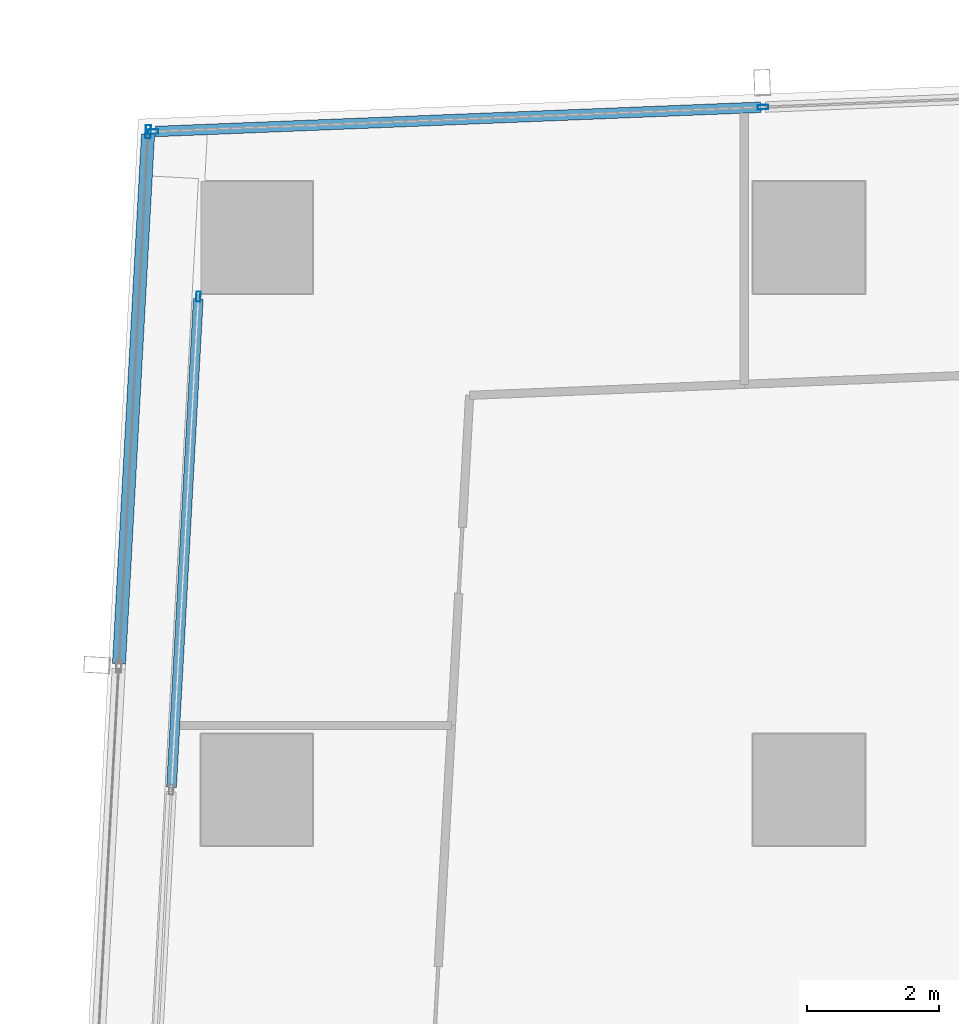
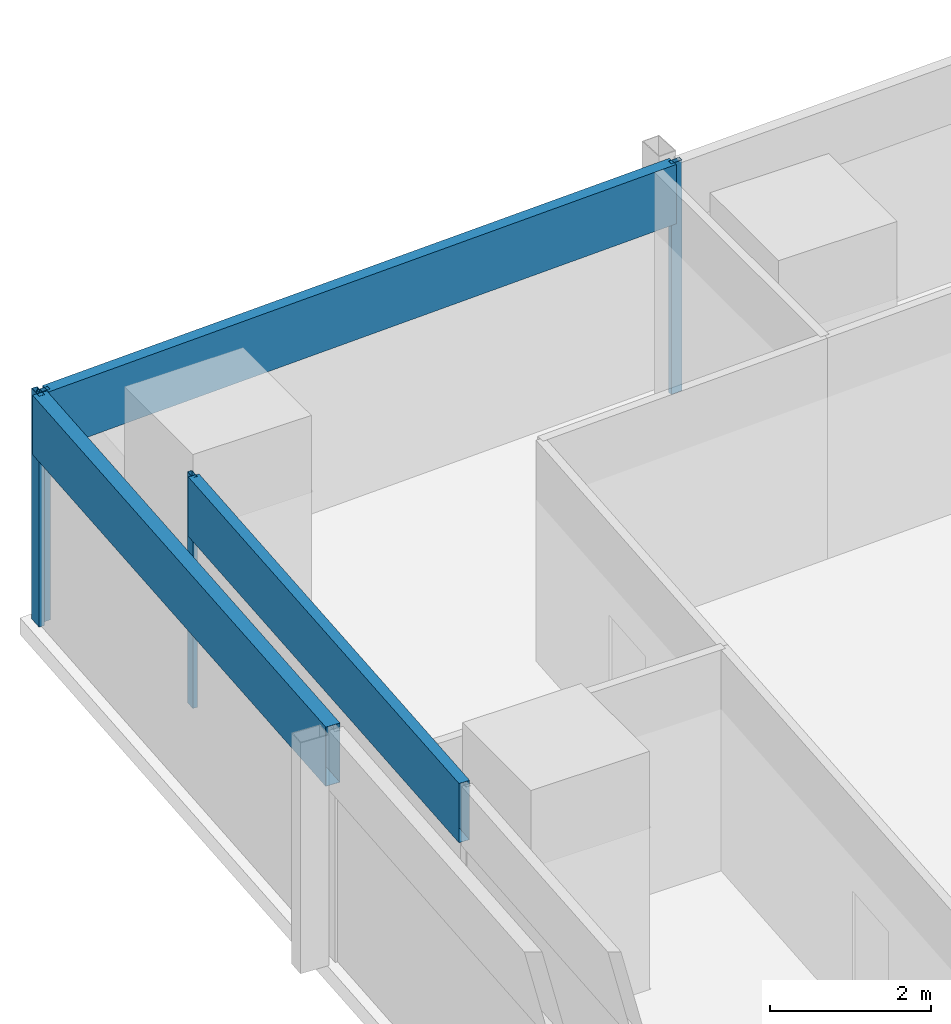
# One storey, part 15 of 40: 7 members, 3 elements without a shape of their own.
"""IFC4 building model written with IfcOpenShell, lengths in metres."""

import ifcopenshell
import ifcopenshell.guid

model = None  # the IFC model being written
_history = None  # IfcOwnerHistory: only IFC2X3 demands one
_inside = {}  # id of a spatial element -> (the spatial element, [elements in it])
_under = {}  # id of a project, library or spatial element -> (it, [spatial elements below it])
_declared = {}  # id of a project -> (the project, [libraries it declares])
_typed = {}  # id of a type object -> (the type object, [elements of that type])
_made_of = {}  # id of a material, layer set ... -> (it, [elements and type objects made of it])


def new_model(schema):
    """Start an empty IFC model of exactly this schema.

    Asked for "IFC4X3", IfcOpenShell would pick the latest addendum, in which some entities
    have other attributes; the version numbers below select the first issue.
    IFC2X3 requires an IfcOwnerHistory on every rooted entity: one is made here for all.
    """
    global model, _history
    if schema == "IFC4X3":
        model = ifcopenshell.file(schema_version=(4, 3, 0, 0))
    else:
        model = ifcopenshell.file(schema=schema)
    _inside.clear()
    _under.clear()
    _declared.clear()
    _typed.clear()
    _made_of.clear()
    _history = None
    if model.schema == "IFC2X3":
        org = make("IfcOrganization", Name="unknown")
        user = make(
            "IfcPersonAndOrganization",
            ThePerson=make("IfcPerson", FamilyName="unknown"),
            TheOrganization=org,
        )
        app = make(
            "IfcApplication",
            ApplicationDeveloper=org,
            Version="unknown",
            ApplicationFullName="unknown",
            ApplicationIdentifier="unknown",
        )
        _history = make(
            "IfcOwnerHistory",
            OwningUser=user,
            OwningApplication=app,
            ChangeAction="ADDED",
            CreationDate=0,
        )
    return model


def make(cls, **values):
    """One entity of the class cls with the attributes given. An attribute that is None is left unset."""
    return model.create_entity(
        cls, **{name: value for name, value in values.items() if value is not None}
    )


def rooted(cls, **values):
    """An entity with a GlobalId (a new one), such as an element, a storey or a relation."""
    return make(cls, GlobalId=ifcopenshell.guid.new(), OwnerHistory=_history, **values)


def si_unit(unit_type, name, prefix=None):
    """IfcSIUnit, for example si_unit("LENGTHUNIT", "METRE", prefix="MILLI")."""
    return make("IfcSIUnit", UnitType=unit_type, Prefix=prefix, Name=name)


def assignment(units):
    """IfcUnitAssignment: the units of a project."""
    return None if units is None else make("IfcUnitAssignment", Units=units)


def point(xyz):
    """IfcCartesianPoint."""
    return None if xyz is None else make("IfcCartesianPoint", Coordinates=xyz)


def direction(xyz):
    """IfcDirection."""
    return None if xyz is None else make("IfcDirection", DirectionRatios=xyz)


def frame(location, z_axis=None, x_axis=None):
    """IfcAxis2Placement3D, a coordinate frame: its origin and axes. An axis left out is left unset."""
    return make(
        "IfcAxis2Placement3D",
        Location=point(location),
        Axis=direction(z_axis),
        RefDirection=direction(x_axis),
    )


def frame_2d(location, x_axis=None):
    """IfcAxis2Placement2D, a coordinate frame in the plane: its origin and x axis."""
    return make(
        "IfcAxis2Placement2D", Location=point(location), RefDirection=direction(x_axis)
    )


def origin():
    """The frame at (0, 0, 0) with its axes left unset."""
    return frame((0.0, 0.0, 0.0))


def origin_2d():
    """The frame at (0, 0) in the plane with its x axis left unset."""
    return frame_2d((0.0, 0.0))


def place(relative_to, where):
    """IfcLocalPlacement: puts the frame where relative to a parent placement (None: the world)."""
    return make(
        "IfcLocalPlacement", PlacementRelTo=relative_to, RelativePlacement=where
    )


def context(
    kind, dimensions, precision=None, world=None, true_north=None, identifier=None
):
    """IfcGeometricRepresentationContext, for example the 3D "Model" context."""
    return make(
        "IfcGeometricRepresentationContext",
        ContextIdentifier=identifier,
        ContextType=kind,
        CoordinateSpaceDimension=dimensions,
        Precision=precision,
        WorldCoordinateSystem=world,
        TrueNorth=true_north,
    )


def subcontext(parent, identifier, kind, view, scale=None):
    """IfcGeometricRepresentationSubContext, for example "Body" below "Model"."""
    return make(
        "IfcGeometricRepresentationSubContext",
        ContextIdentifier=identifier,
        ContextType=kind,
        ParentContext=parent,
        TargetScale=scale,
        TargetView=view,
    )


def project(units=None, contexts=None):
    """IfcProject with its units and contexts."""
    return rooted(
        "IfcProject",
        Name="project",
        RepresentationContexts=contexts,
        UnitsInContext=assignment(units),
    )


def spatial(cls, under=None, at=None, **own):
    """A site, building, storey or space (cls), placed at a placement, below another one or the project."""
    s = rooted(cls, ObjectPlacement=at, **own)
    if under is not None:
        _under.setdefault(under.id(), (under, []))[1].append(s)
    return s


def profile(cls, at=None, kind="AREA", **sizes):
    """A parametric profile (cls). Its sizes go by their IFC names, for example OverallWidth=200.0."""
    return make(cls, ProfileType=kind, Position=at, **sizes)


def hollow_rectangle(**sizes):
    """IfcRectangleHollowProfileDef."""
    return profile("IfcRectangleHollowProfileDef", **sizes)


def extrude(swept, where, along, depth):
    """IfcExtrudedAreaSolid: the profile swept, set in the frame where, extruded along a direction by depth."""
    return make(
        "IfcExtrudedAreaSolid",
        SweptArea=swept,
        Position=where,
        ExtrudedDirection=direction(along),
        Depth=depth,
    )


def shape(context_of_items, identifier, shape_type, items):
    """IfcShapeRepresentation: the items that make up one representation, for example the "Body"."""
    return make(
        "IfcShapeRepresentation",
        ContextOfItems=context_of_items,
        RepresentationIdentifier=identifier,
        RepresentationType=shape_type,
        Items=items,
    )


def material(Name=None, Category=None):
    """IfcMaterial."""
    return make("IfcMaterial", Name=Name, Category=Category)


def material_profile(
    of_material, cross_section, Name=None, Category=None, Priority=None
):
    """IfcMaterialProfile: a cross section and its material."""
    return make(
        "IfcMaterialProfile",
        Name=Name,
        Material=of_material,
        Profile=cross_section,
        Priority=Priority,
        Category=Category,
    )


def profile_set(profiles, Name=None, composite=None):
    """IfcMaterialProfileSet."""
    return make(
        "IfcMaterialProfileSet",
        Name=Name,
        MaterialProfiles=profiles,
        CompositeProfile=composite,
    )


def made_of(thing, what):
    """Note that an element or type object is made of a material, layer set ...; save() writes the relation."""
    if what is not None:
        _made_of.setdefault(what.id(), (what, []))[1].append(thing)
    return thing


def type_object(cls, material=None, **own):
    """A type object (cls), such as IfcWallType, which elements share."""
    return made_of(rooted(cls, **own), material)


def element(
    cls,
    number,
    at=None,
    inside=None,
    cuts=None,
    type_object=None,
    material=None,
    context=None,
    identifier="Body",
    shape_type=None,
    held_by="IfcProductDefinitionShape",
    body=None,
    shapes=None,
    **own,
):
    """One element of the class cls, such as IfcWall. Its Tag is "e" and its number.

    at: its placement. inside: the storey or other place that contains it. cuts: it is an
    opening in that element (IfcRelVoidsElement). A single representation is given by context,
    identifier, shape_type and body (its items); several are given by shapes. held_by: the class
    of the entity that holds the representations. save() writes the other relations.
    """
    e = rooted(cls, Tag="e%d" % number, ObjectPlacement=at, **own)
    if body is not None:
        shapes = [shape(context, identifier, shape_type, body)]
    if shapes is not None:
        e.Representation = make(held_by, Representations=shapes)
    if inside is not None:
        _inside.setdefault(inside.id(), (inside, []))[1].append(e)
    if cuts is not None:
        rooted(
            "IfcRelVoidsElement", RelatingBuildingElement=cuts, RelatedOpeningElement=e
        )
    if type_object is not None:
        _typed.setdefault(type_object.id(), (type_object, []))[1].append(e)
    return made_of(e, material)


def aggregate(whole, parts):
    """IfcRelAggregates: a whole, such as a stair, and the parts it consists of."""
    return rooted("IfcRelAggregates", RelatingObject=whole, RelatedObjects=parts)


def save(model, path):
    """Write the relations noted so far, then the file.

    IfcRelAggregates (storeys below a building ...), IfcRelContainedInSpatialStructure (elements
    in a storey), IfcRelDefinesByType, IfcRelAssociatesMaterial and IfcRelDeclares: one each for
    every whole, place, type object, material and project.
    """
    for whole, parts in _under.values():
        aggregate(whole, parts)
    for where, things in _inside.values():
        rooted(
            "IfcRelContainedInSpatialStructure",
            RelatedElements=things,
            RelatingStructure=where,
        )
    for kind, things in _typed.values():
        rooted("IfcRelDefinesByType", RelatedObjects=things, RelatingType=kind)
    for what, things in _made_of.values():
        rooted("IfcRelAssociatesMaterial", RelatedObjects=things, RelatingMaterial=what)
    for by, libraries in _declared.values():
        rooted("IfcRelDeclares", RelatingContext=by, RelatedDefinitions=libraries)
    model.write(path)


model = new_model("IFC4")

# Units and contexts
model_context = context("Model", 3, precision=1e-05, world=origin(), true_north=direction((0.0, 1.0)))
body_context = subcontext(model_context, "Body", "Model", "MODEL_VIEW")
ifc_project = project(units=[si_unit("LENGTHUNIT", "METRE"), si_unit("AREAUNIT", "SQUARE_METRE"), si_unit("VOLUMEUNIT", "CUBIC_METRE"), si_unit("PLANEANGLEUNIT", "RADIAN"), si_unit("MASSUNIT", "GRAM", prefix="KILO")], contexts=[model_context])

# Site, building, storey
site_placement = place(None, origin())
site = spatial("IfcSite", under=ifc_project, at=site_placement, CompositionType="ELEMENT")
building_placement = place(site_placement, origin())
building = spatial("IfcBuilding", under=site, at=building_placement, Name="Rekha Terrace Tower", CompositionType="ELEMENT")
storey_placement = place(building_placement, frame((0.0, 0.0, 121.550048828125)))
storey = spatial("IfcBuildingStorey", under=building, at=storey_placement, Name="L30", CompositionType="ELEMENT", Elevation=121.550048828125)

# Curtain wall, members
ifc_material_1 = material(Name="Aluminium framing", Category="aluminium")
curtain_wall_type_1 = type_object("IfcCurtainWallType", Name="CW1 double skin inner glazing", PredefinedType="USERDEFINED", material=ifc_material_1)
curtain_wall_1_placement = place(storey_placement, origin())
curtain_wall_1 = element("IfcCurtainWall", 1, at=curtain_wall_1_placement, inside=storey, type_object=curtain_wall_type_1, Name="CW1 double skin inner glazing", ObjectType="DOUBLE SKIN INNER GLAZING", PredefinedType="USERDEFINED")
ifc_material_2 = material(Name="Aluminium mullion section", Category="aluminium")
ifc_material_profile_1 = material_profile(ifc_material_2, hollow_rectangle(XDim=0.06494140625, YDim=0.14990234375, WallThickness=0.00390625, at=origin_2d()), Name="AL RHS 65x150")
ifc_profile_set_1 = profile_set([ifc_material_profile_1], Name="Aluminium mullion section")
member_type_1 = type_object("IfcMemberType", Name="CW1 mullion RHS 65 x 150", PredefinedType="MULLION", material=ifc_profile_set_1)
member_1_placement = place(storey_placement, frame((7.513427734375, 57.8994140625, 0.0), z_axis=(0.0, 0.0, 1.0), x_axis=(0.99850051318, -0.054742352707, 0.0)))
member_1 = element("IfcMember", 2, at=member_1_placement, type_object=member_type_1, Name="CW1 mullion 1", PredefinedType="MULLION", context=body_context, shape_type="SweptSolid", body=[
    extrude(hollow_rectangle(XDim=0.06494140625, YDim=0.14990234375, WallThickness=0.00390625, at=origin_2d()), origin(), (0.0, 0.0, 1.0), 3.5),
])
ifc_material_3 = material(Name="Insulated aluminium spandrel box", Category="aluminium")
ifc_material_profile_2 = material_profile(ifc_material_3, hollow_rectangle(XDim=0.14990234375, YDim=0.89990234375, WallThickness=0.0029296875, at=origin_2d()), Name="AL SPANDREL BOX 150x900")
ifc_profile_set_2 = profile_set([ifc_material_profile_2], Name="Insulated aluminium spandrel box")
member_type_2 = type_object("IfcMemberType", Name="CW1 spandrel transom 150 x 900", PredefinedType="USERDEFINED", material=ifc_profile_set_2)
member_2_placement = place(storey_placement, frame((7.51171875, 57.866943359375, 3.050048828125), z_axis=(-0.054743356699, -0.998500458136, 0.0), x_axis=(0.998500458136, -0.054743356699, 0.0)))
member_2 = element("IfcMember", 3, at=member_2_placement, type_object=member_type_2, Name="CW1 spandrel transom 1", ObjectType="TRANSOM", PredefinedType="USERDEFINED", context=body_context, shape_type="SweptSolid", body=[
    extrude(hollow_rectangle(XDim=0.14990234375, YDim=0.89990234375, WallThickness=0.0029296875, at=origin_2d()), origin(), (0.0, 0.0, 1.0), 7.443359375),
])
aggregate(curtain_wall_1, [member_1, member_2])

curtain_wall_type_2 = type_object("IfcCurtainWallType", Name="CW2 double skin outer glazing", PredefinedType="USERDEFINED", material=ifc_material_1)
curtain_wall_2_placement = place(storey_placement, origin())
curtain_wall_2 = element("IfcCurtainWall", 4, at=curtain_wall_2_placement, inside=storey, type_object=curtain_wall_type_2, Name="CW2 double skin outer glazing", ObjectType="DOUBLE SKIN OUTER GLAZING", PredefinedType="USERDEFINED")
ifc_material_profile_3 = material_profile(ifc_material_2, hollow_rectangle(XDim=0.080078125, YDim=0.199951171875, WallThickness=0.00390625, at=origin_2d()), Name="AL RHS 80x200")
ifc_profile_set_3 = profile_set([ifc_material_profile_3], Name="Aluminium mullion section")
member_type_3 = type_object("IfcMemberType", Name="CW2 mullion RHS 80 x 200", PredefinedType="MULLION", material=ifc_profile_set_3)
member_3_placement = place(storey_placement, frame((6.74951171875, 60.406005859375, 0.0), z_axis=(0.0, 0.0, 1.0), x_axis=(0.99850051318, -0.054742352707, 0.0)))
member_3 = element("IfcMember", 5, at=member_3_placement, type_object=member_type_3, Name="CW2 mullion 1", PredefinedType="MULLION", context=body_context, shape_type="SweptSolid", body=[
    extrude(hollow_rectangle(XDim=0.080078125, YDim=0.199951171875, WallThickness=0.00390625, at=origin_2d()), origin(), (0.0, 0.0, 1.0), 3.5),
])
ifc_material_profile_4 = material_profile(ifc_material_3, hollow_rectangle(XDim=0.199951171875, YDim=0.89990234375, WallThickness=0.0029296875, at=origin_2d()), Name="AL SPANDREL BOX 200x900")
ifc_profile_set_4 = profile_set([ifc_material_profile_4], Name="Insulated aluminium spandrel box")
member_type_4 = type_object("IfcMemberType", Name="CW2 spandrel transom 200 x 900", PredefinedType="USERDEFINED", material=ifc_profile_set_4)
member_4_placement = place(storey_placement, frame((6.747314453125, 60.365966796875, 3.050048828125), z_axis=(-0.054735200093, -0.998500905293, 0.0), x_axis=(0.998500905293, -0.054735200093, 0.0)))
member_4 = element("IfcMember", 6, at=member_4_placement, type_object=member_type_4, Name="CW2 spandrel transom 1", ObjectType="TRANSOM", PredefinedType="USERDEFINED", context=body_context, shape_type="SweptSolid", body=[
    extrude(hollow_rectangle(XDim=0.199951171875, YDim=0.89990234375, WallThickness=0.0029296875, at=origin_2d()), origin(), (0.0, 0.0, 1.0), 8.059814453125),
])
aggregate(curtain_wall_2, [member_3, member_4])

curtain_wall_type_3 = type_object("IfcCurtainWallType", Name="CW3 north unitised glazing", PredefinedType="USERDEFINED", material=ifc_material_1)
curtain_wall_3_placement = place(storey_placement, origin())
curtain_wall_3 = element("IfcCurtainWall", 7, at=curtain_wall_3_placement, inside=storey, type_object=curtain_wall_type_3, Name="CW3 unitised curtain wall", ObjectType="UNITISED CURTAIN WALL", PredefinedType="USERDEFINED")
ifc_material_profile_5 = material_profile(ifc_material_2, hollow_rectangle(XDim=0.070068359375, YDim=0.159912109375, WallThickness=0.00390625, at=origin_2d()), Name="AL RHS 70x160")
ifc_profile_set_5 = profile_set([ifc_material_profile_5], Name="Aluminium mullion section")
member_type_5 = type_object("IfcMemberType", Name="CW3 mullion RHS 70 x 160", PredefinedType="MULLION", material=ifc_profile_set_5)
member_5_placement = place(storey_placement, frame((16.101806640625, 60.780517578125, 0.0), z_axis=(0.0, 0.0, 1.0), x_axis=(0.040031987119, -0.999198398721, 0.0)))
member_5 = element("IfcMember", 8, at=member_5_placement, type_object=member_type_5, Name="CW3 mullion 4", PredefinedType="MULLION", context=body_context, shape_type="SweptSolid", body=[
    extrude(hollow_rectangle(XDim=0.070068359375, YDim=0.159912109375, WallThickness=0.00390625, at=origin_2d()), origin(), (0.0, 0.0, 1.0), 3.5),
])
member_6_placement = place(storey_placement, frame((6.82470703125, 60.408935546875, 0.0), z_axis=(0.0, 0.0, 1.0), x_axis=(0.040031987119, -0.999198398721, 0.0)))
member_6 = element("IfcMember", 9, at=member_6_placement, type_object=member_type_5, Name="CW3 mullion 5", PredefinedType="MULLION", context=body_context, shape_type="SweptSolid", body=[
    extrude(hollow_rectangle(XDim=0.070068359375, YDim=0.159912109375, WallThickness=0.00390625, at=origin_2d()), origin(), (0.0, 0.0, 1.0), 3.5),
])
ifc_material_profile_6 = material_profile(ifc_material_3, hollow_rectangle(XDim=0.159912109375, YDim=0.89990234375, WallThickness=0.0029296875, at=origin_2d()), Name="AL SPANDREL BOX 160x900")
ifc_profile_set_6 = profile_set([ifc_material_profile_6], Name="Insulated aluminium spandrel box")
member_type_6 = type_object("IfcMemberType", Name="CW3 spandrel transom 160 x 900", PredefinedType="USERDEFINED", material=ifc_profile_set_6)
member_7_placement = place(storey_placement, frame((16.06689453125, 60.779052734375, 3.050048828125), z_axis=(-0.999198332483, -0.040033640399, 0.0), x_axis=(0.040033640399, -0.999198332483, 0.0)))
member_7 = element("IfcMember", 10, at=member_7_placement, type_object=member_type_6, Name="CW3 spandrel transom 4", ObjectType="TRANSOM", PredefinedType="USERDEFINED", context=body_context, shape_type="SweptSolid", body=[
    extrude(hollow_rectangle(XDim=0.159912109375, YDim=0.89990234375, WallThickness=0.0029296875, at=origin_2d()), origin(), (0.0, 0.0, 1.0), 9.214599609375),
])
aggregate(curtain_wall_3, [member_5, member_6, member_7])

save(model, "model.ifc")
